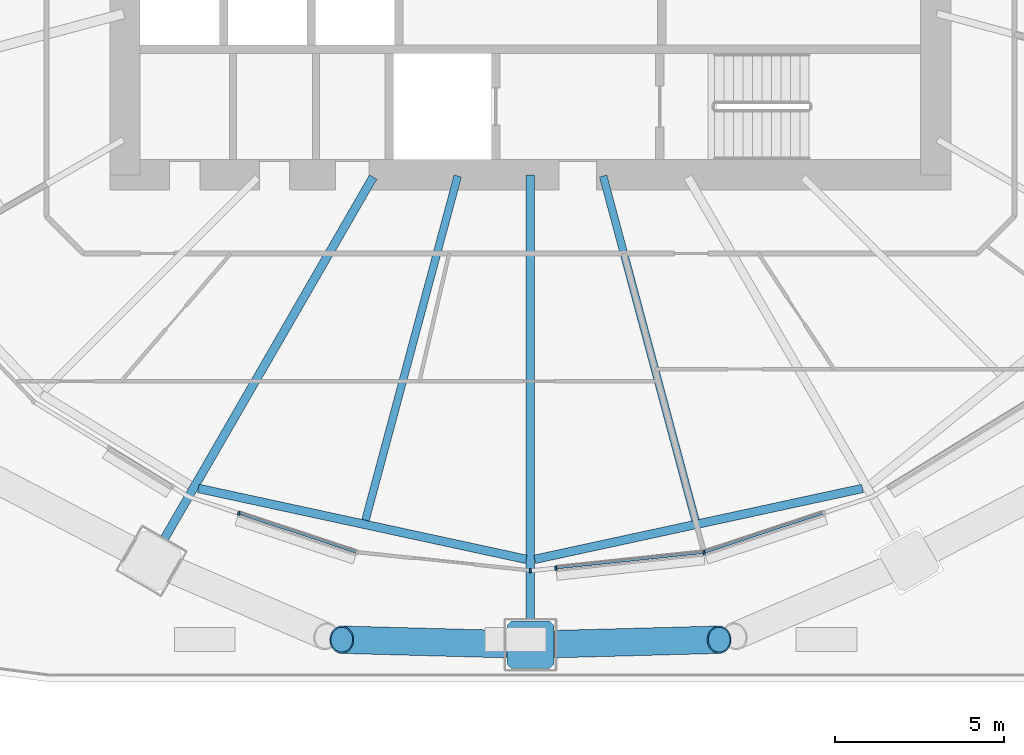
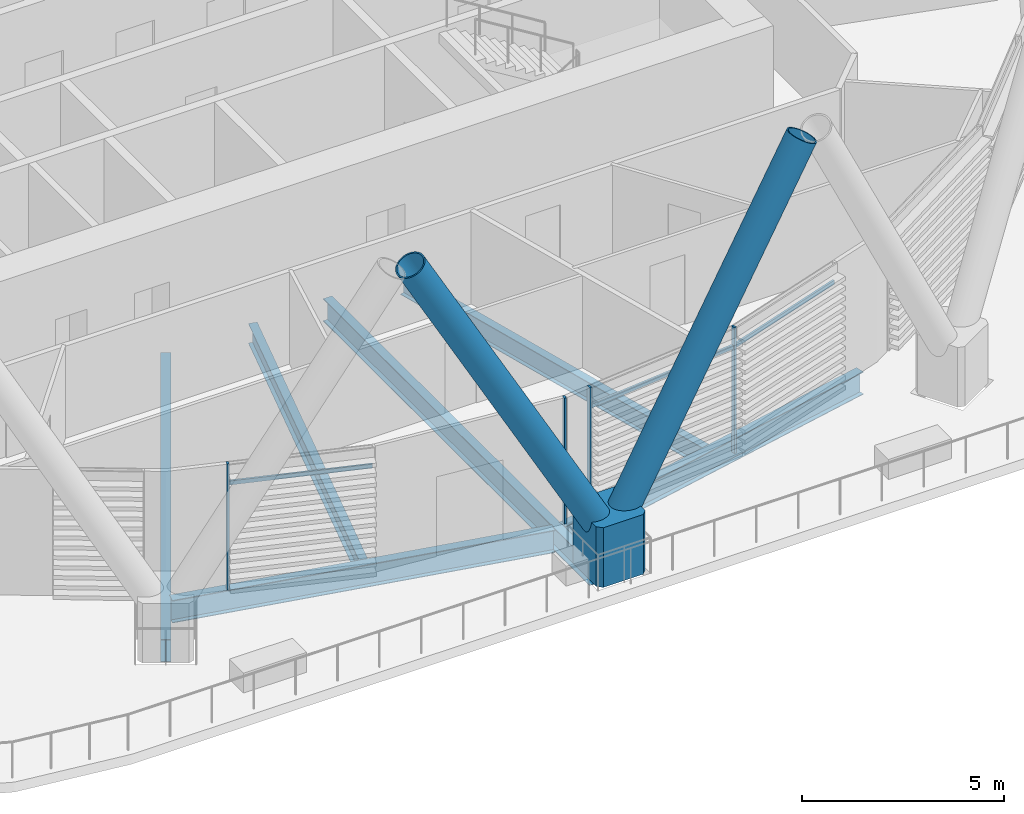
# One storey, part 4 of 47: 10 members, 6 beams, 1 element without a shape of its own.
"""IFC4 building model written with IfcOpenShell, lengths in metres."""

from ifc_helpers import new_model, si_unit, direction, frame, origin, origin_2d, place, context, subcontext, project, spatial, polyline, rectangle, hollow_circle, i_section, outline, extrude, material, material_profile, profile_set, type_object, element, aggregate, save


model = new_model("IFC4")

# Units and contexts
model_context = context("Model", 3, precision=1e-05, world=origin(), true_north=direction((0.0, 1.0)))
body_context = subcontext(model_context, "Body", "Model", "MODEL_VIEW")
ifc_project = project(units=[si_unit("LENGTHUNIT", "METRE"), si_unit("AREAUNIT", "SQUARE_METRE"), si_unit("VOLUMEUNIT", "CUBIC_METRE"), si_unit("PLANEANGLEUNIT", "RADIAN"), si_unit("MASSUNIT", "GRAM", prefix="KILO")], contexts=[model_context])

# Site, building, storey
site_placement = place(None, origin())
site = spatial("IfcSite", under=ifc_project, at=site_placement, CompositionType="ELEMENT")
building_placement = place(site_placement, origin())
building = spatial("IfcBuilding", under=site, at=building_placement, Name="Rimbun Link Towers", CompositionType="ELEMENT")
storey_placement = place(building_placement, frame((0.0, 0.0, 30.0)))
storey = spatial("IfcBuildingStorey", under=building, at=storey_placement, Name="L06", CompositionType="ELEMENT", Elevation=30.0)

# Curtain wall, members
ifc_material_1 = material(Name="Aluminium 6063-T6 and low-iron glass", Category="aluminium")
curtain_wall_type = type_object("IfcCurtainWallType", Name="CW1 unitised vision wall", PredefinedType="NOTDEFINED", material=ifc_material_1)
curtain_wall_placement = place(storey_placement, origin())
curtain_wall = element("IfcCurtainWall", 1, at=curtain_wall_placement, inside=storey, type_object=curtain_wall_type, Name="CW1 L06 T1", PredefinedType="NOTDEFINED")
ifc_material_2 = material(Name="Aluminium 6063-T6", Category="aluminium")
ifc_material_profile_1 = material_profile(ifc_material_2, rectangle(XDim=0.1201171875, YDim=0.06005859375, at=origin_2d()), Name="MULLION 60X120")
ifc_profile_set_1 = profile_set([ifc_material_profile_1], Name="Aluminium 6063-T6")
member_type_1 = type_object("IfcMemberType", Name="CW1 mullion 60X120", PredefinedType="MULLION", material=ifc_profile_set_1)
member_1_placement = place(storey_placement, frame((-40.383544921875, -18.01416015625, 0.0), z_axis=(0.0, 0.0, 1.0), x_axis=(-0.314563730837, -0.949236355837, 0.0)))
member_1 = element("IfcMember", 2, at=member_1_placement, type_object=member_type_1, Name="CW1 mullion", PredefinedType="MULLION", context=body_context, shape_type="SweptSolid", body=[
    extrude(rectangle(XDim=0.1201171875, YDim=0.06005859375, at=origin_2d()), origin(), (0.0, 0.0, 1.0), 3.800048828125),
])
member_2_placement = place(storey_placement, frame((-31.75634765625, -19.7138671875, 0.0), z_axis=(0.0, 0.0, 1.0), x_axis=(-0.104754525743, -0.994498109267, 0.0)))
member_2 = element("IfcMember", 3, at=member_2_placement, type_object=member_type_1, Name="CW1 mullion", PredefinedType="MULLION", context=body_context, shape_type="SweptSolid", body=[
    extrude(rectangle(XDim=0.1201171875, YDim=0.06005859375, at=origin_2d()), origin(), (0.0, 0.0, 1.0), 3.800048828125),
])
member_3_placement = place(storey_placement, frame((-26.615478515625, -19.17333984375, 0.0), z_axis=(0.0, 0.0, 1.0), x_axis=(0.210876994137, -0.97751260521, 0.0)))
member_3 = element("IfcMember", 4, at=member_3_placement, type_object=member_type_1, Name="CW1 mullion", PredefinedType="MULLION", context=body_context, shape_type="SweptSolid", body=[
    extrude(rectangle(XDim=0.1201171875, YDim=0.06005859375, at=origin_2d()), origin(), (0.0, 0.0, 1.0), 3.800048828125),
])
member_4_placement = place(storey_placement, frame((-30.997802734375, -19.63525390625, 0.0), z_axis=(0.0, 0.0, 1.0), x_axis=(0.104754525743, -0.994498109267, 0.0)))
member_4 = element("IfcMember", 5, at=member_4_placement, type_object=member_type_1, Name="CW1 mullion", PredefinedType="MULLION", context=body_context, shape_type="SweptSolid", body=[
    extrude(rectangle(XDim=0.1201171875, YDim=0.06005859375, at=origin_2d()), origin(), (0.0, 0.0, 1.0), 3.800048828125),
])
ifc_material_3 = material(Name="Aluminium 6063-T6", Category="aluminium")
ifc_material_profile_2 = material_profile(ifc_material_3, rectangle(XDim=0.06005859375, YDim=0.1201171875, at=origin_2d()), Name="TRANSOM 60X120")
ifc_profile_set_2 = profile_set([ifc_material_profile_2], Name="Aluminium 6063-T6")
member_type_2 = type_object("IfcMemberType", Name="CW1 transom 60X120", PredefinedType="USERDEFINED", material=ifc_profile_set_2)
member_5_placement = place(storey_placement, frame((-36.91845703125, -19.160400390625, 3.199951171875), z_axis=(-0.949234904312, 0.314568110964, 0.0), x_axis=(-0.314568110964, -0.949234904312, 0.0)))
member_5 = element("IfcMember", 6, at=member_5_placement, type_object=member_type_2, Name="CW1 transom", ObjectType="TRANSOM", PredefinedType="USERDEFINED", context=body_context, shape_type="SweptSolid", body=[
    extrude(rectangle(XDim=0.06005859375, YDim=0.1201171875, at=origin_2d()), origin(), (0.0, 0.0, 1.0), 3.619873046875),
])
member_6_placement = place(storey_placement, frame((-26.65185546875, -19.175537109375, 3.199951171875), z_axis=(-0.99449990358, -0.104737489845, 0.0), x_axis=(0.104737489845, -0.99449990358, 0.0)))
member_6 = element("IfcMember", 7, at=member_6_placement, type_object=member_type_2, Name="CW1 transom", ObjectType="TRANSOM", PredefinedType="USERDEFINED", context=body_context, shape_type="SweptSolid", body=[
    extrude(rectangle(XDim=0.06005859375, YDim=0.1201171875, at=origin_2d()), origin(), (0.0, 0.0, 1.0), 4.34033203125),
])
member_7_placement = place(storey_placement, frame((-23.097900390625, -18.005859375, 3.199951171875), z_axis=(-0.949227381323, -0.314590811288, 0.0), x_axis=(0.314590811288, -0.949227381323, 0.0)))
member_7 = element("IfcMember", 8, at=member_7_placement, type_object=member_type_2, Name="CW1 transom", ObjectType="TRANSOM", PredefinedType="USERDEFINED", context=body_context, shape_type="SweptSolid", body=[
    extrude(rectangle(XDim=0.06005859375, YDim=0.1201171875, at=origin_2d()), origin(), (0.0, 0.0, 1.0), 3.669921875),
])
aggregate(curtain_wall, [member_1, member_2, member_3, member_4, member_5, member_6, member_7])

# Members
ifc_material_4 = material(Name="Steel S460NH", Category="steel")
ifc_material_profile_3 = material_profile(ifc_material_4, hollow_circle(Radius=0.406494140625, WallThickness=0.0400390625, at=origin_2d()), Name="Diagrid diagonal CHS 813x40")
ifc_profile_set_3 = profile_set([ifc_material_profile_3], Name="Steel S460NH")
member_type_3 = type_object("IfcMemberType", Name="Diagrid diagonal CHS 813x40", PredefinedType="BRACE", material=ifc_profile_set_3)
for number, where, z_axis, x_axis, name in (
    (9, (-31.99267578125, -21.897705078125, 1.337158203125), (-0.485213743041, 0.01303896901, 0.87429835231), (-0.026862931598, -0.999639126338, 0.0), "Diagrid diagonal T1 L06-L09 18a"),
    (10, (-31.50732421875, -21.897705078125, 1.337158203125), (0.485213743041, 0.01303896901, 0.87429835231), (-0.026862931598, 0.999639126338, 0.0), "Diagrid diagonal T1 L06-L09 18b"),
):
    element("IfcMember", number, at=place(storey_placement, frame(where, z_axis=z_axis, x_axis=x_axis)), inside=storey, type_object=member_type_3, Name=name, PredefinedType="BRACE", context=body_context, shape_type="SweptSolid", body=[
        extrude(hollow_circle(Radius=0.406494140625, WallThickness=0.0400390625, at=origin_2d()), origin(), (0.0, 0.0, 1.0), 11.009765625),
    ])
ifc_material_5 = material(Name="Cast steel G20Mn5+QT, Rp0.2 300 MPa", Category="steel")
ifc_material_profile_4 = material_profile(ifc_material_5, outline(polyline([(0.699951171875, -0.570068359375), (0.699951171875, 0.570068359375), (0.570068359375, 0.699951171875), (-0.570068359375, 0.699951171875), (-0.699951171875, 0.570068359375), (-0.699951171875, -0.570068359375), (-0.570068359375, -0.699951171875), (0.570068359375, -0.699951171875), (0.699951171875, -0.570068359375)])), Name="NODE 1400x1400")
ifc_profile_set_4 = profile_set([ifc_material_profile_4], Name="Cast steel G20Mn5+QT, Rp0.2 300 MPa")
member_type_4 = type_object("IfcMemberType", Name="Diagrid node cast 1400", PredefinedType="USERDEFINED", material=ifc_profile_set_4)
member_8_placement = place(storey_placement, frame((-31.75, -21.904296875, 0.0), z_axis=(0.0, 0.0, 1.0), x_axis=(0.0, -1.0, 0.0)))
element("IfcMember", 11, at=member_8_placement, inside=storey, type_object=member_type_4, Name="Diagrid node L06 18", ObjectType="Diagrid node", PredefinedType="USERDEFINED", context=body_context, shape_type="SweptSolid", body=[
    extrude(outline(polyline([(0.699951171875, -0.570068359375), (0.699951171875, 0.570068359375), (0.570068359375, 0.699951171875), (-0.570068359375, 0.699951171875), (-0.699951171875, 0.570068359375), (-0.699951171875, -0.570068359375), (-0.570068359375, -0.699951171875), (0.570068359375, -0.699951171875), (0.699951171875, -0.570068359375)])), origin(), (0.0, 0.0, 1.0), 1.800048828125),
])

# Beams
ifc_material_6 = material(Name="Steel S355J2", Category="steel")
ifc_material_profile_5 = material_profile(ifc_material_6, i_section(OverallWidth=0.2275390625, OverallDepth=0.6025390625, WebThickness=0.010498046875, FlangeThickness=0.014892578125, at=origin_2d()), Name="UB 610x229x101")
ifc_profile_set_5 = profile_set([ifc_material_profile_5], Name="Steel S355J2")
beam_type_1 = type_object("IfcBeamType", Name="UB 610x229x101", PredefinedType="BEAM", material=ifc_profile_set_5)
for number, where, z_axis, x_axis, name in (
    (12, (-33.901611328125, -8.030517578125, -0.601318359375), (-0.258844096103, -0.965919113545, 0.0), (0.965919113545, -0.258844096103, 0.0), "Radial beam T1 L06 17"),
    (13, (-29.598388671875, -8.030517578125, -0.601318359375), (0.258844096103, -0.965919113545, 0.0), (0.965919113545, 0.258844096103, 0.0), "Radial beam T1 L06 19"),
):
    element("IfcBeam", number, at=place(storey_placement, frame(where, z_axis=z_axis, x_axis=x_axis)), inside=storey, type_object=beam_type_1, Name=name, PredefinedType="BEAM", context=body_context, shape_type="SweptSolid", body=[
        extrude(i_section(OverallWidth=0.2275390625, OverallDepth=0.6025390625, WebThickness=0.010498046875, FlangeThickness=0.014892578125, at=origin_2d()), origin(), (0.0, 0.0, 1.0), 10.544921875),
    ])
ifc_material_7 = material(Name="Steel S355J2", Category="steel")
ifc_material_profile_6 = material_profile(ifc_material_7, i_section(OverallWidth=0.253662109375, OverallDepth=0.68359375, WebThickness=0.012451171875, FlangeThickness=0.01904296875, at=origin_2d()), Name="UB 686x254x140")
ifc_profile_set_6 = profile_set([ifc_material_profile_6], Name="Steel S355J2")
beam_type_2 = type_object("IfcBeamType", Name="UB 686x254x140", PredefinedType="BEAM", material=ifc_profile_set_6)
beam_1_placement = place(storey_placement, frame((-36.406005859375, -8.064208984375, -0.641845703125), z_axis=(-0.499992594562, -0.866029679274, 0.0), x_axis=(0.866029679274, -0.499992594562, 0.0)))
element("IfcBeam", 14, at=beam_1_placement, inside=storey, type_object=beam_type_2, Name="Radial beam T1 L06 16", PredefinedType="BEAM", context=body_context, shape_type="SweptSolid", body=[
    extrude(i_section(OverallWidth=0.253662109375, OverallDepth=0.68359375, WebThickness=0.012451171875, FlangeThickness=0.01904296875, at=origin_2d()), origin(), (0.0, 0.0, 1.0), 12.360595703125),
])
beam_2_placement = place(storey_placement, frame((-31.75, -8.0009765625, -0.641845703125), z_axis=(0.0, -1.0, 0.0), x_axis=(1.0, 0.0, 0.0)))
element("IfcBeam", 15, at=beam_2_placement, inside=storey, type_object=beam_type_2, Name="Radial beam T1 L06 18", PredefinedType="BEAM", context=body_context, shape_type="SweptSolid", body=[
    extrude(i_section(OverallWidth=0.253662109375, OverallDepth=0.68359375, WebThickness=0.012451171875, FlangeThickness=0.01904296875, at=origin_2d()), origin(), (0.0, 0.0, 1.0), 13.1533203125),
])
for number, where, z_axis, x_axis, name in (
    (16, (-41.577392578125, -17.27685546875, -0.641845703125), (0.977390124833, -0.211443949734, 0.0), (0.211443949734, 0.977390124833, 0.0), "Edge beam T1 L06 16-18"),
    (17, (-31.622314453125, -19.375244140625, -0.641845703125), (0.977390124833, 0.211443949734, 0.0), (-0.211443949734, 0.977390124833, 0.0), "Edge beam T1 L06 18-20"),
):
    element("IfcBeam", number, at=place(storey_placement, frame(where, z_axis=z_axis, x_axis=x_axis)), inside=storey, type_object=beam_type_2, Name=name, PredefinedType="BEAM", context=body_context, shape_type="SweptSolid", body=[
        extrude(i_section(OverallWidth=0.253662109375, OverallDepth=0.68359375, WebThickness=0.012451171875, FlangeThickness=0.01904296875, at=origin_2d()), origin(), (0.0, 0.0, 1.0), 9.924072265625),
    ])

save(model, "model.ifc")
